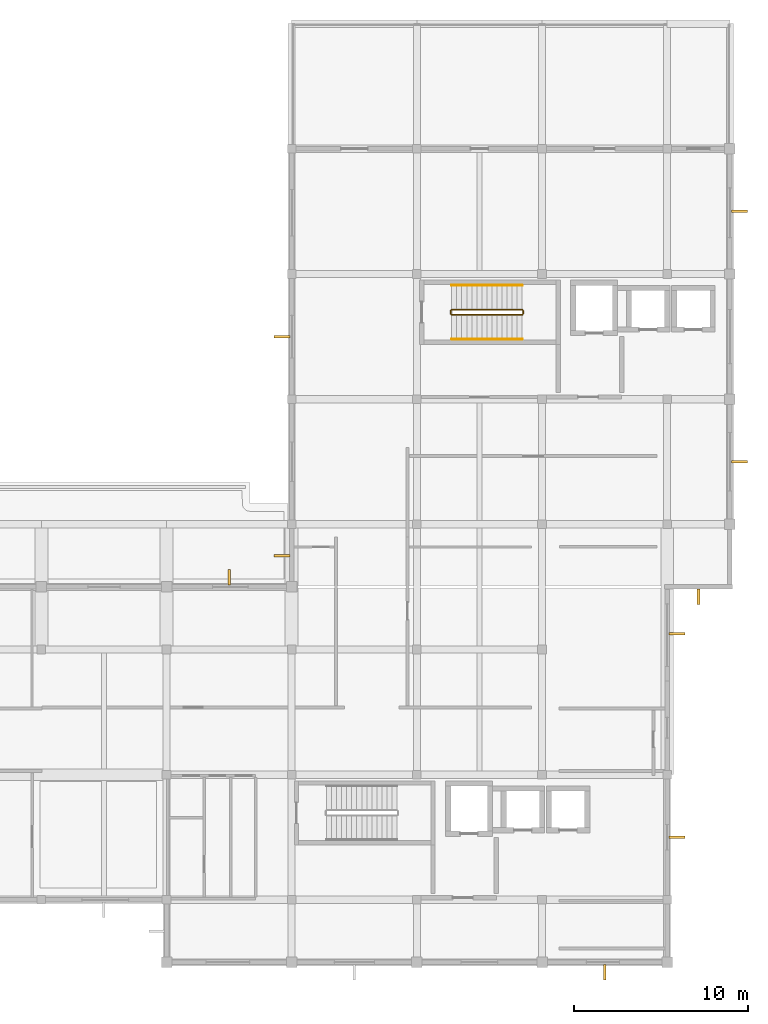
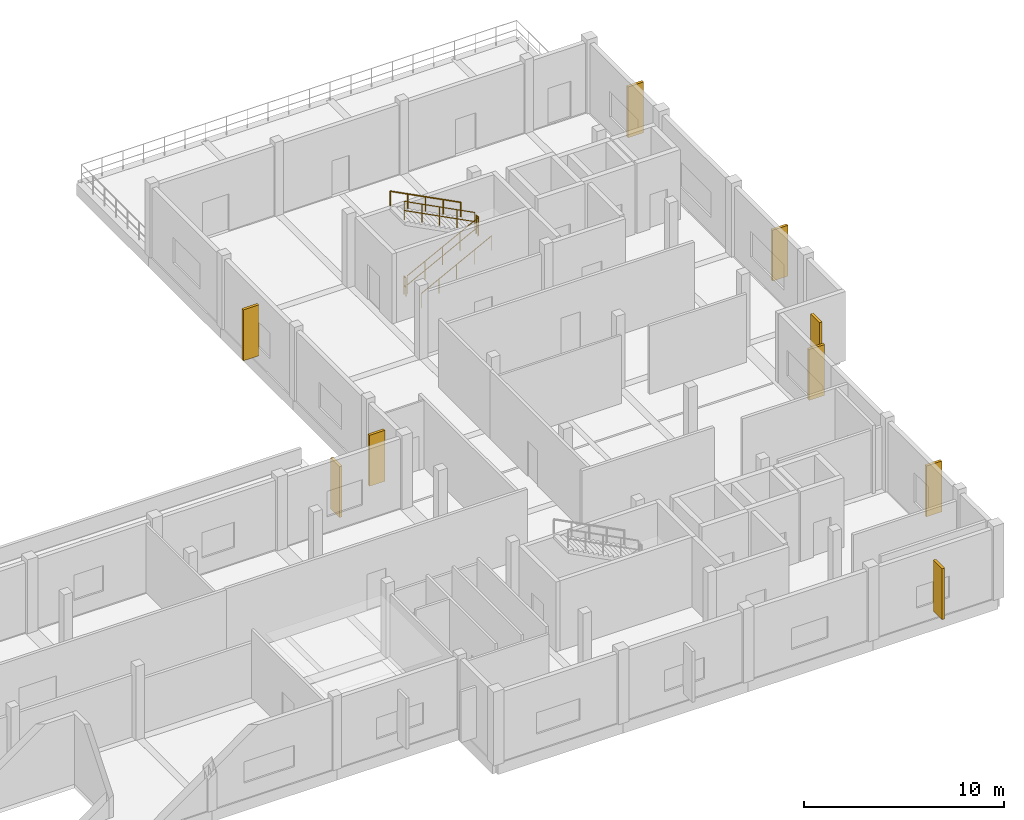
# One storey, part 8 of 9: 9 shading devices, 6 railings.
"""IFC4 building model written with IfcOpenShell, lengths in metres."""

from ifc_helpers import new_model, si_unit, direction, frame, origin, origin_2d, place, context, subcontext, project, spatial, rectangle, circle, extrude, material, type_object, element, save


model = new_model("IFC4")

# Units and contexts
model_context = context("Model", 3, precision=1e-05, world=origin(), true_north=direction((0.0, 1.0)))
body_context = subcontext(model_context, "Body", "Model", "MODEL_VIEW")
ifc_project = project(units=[si_unit("LENGTHUNIT", "METRE"), si_unit("AREAUNIT", "SQUARE_METRE"), si_unit("VOLUMEUNIT", "CUBIC_METRE"), si_unit("PLANEANGLEUNIT", "RADIAN"), si_unit("MASSUNIT", "GRAM", prefix="KILO")], contexts=[model_context])

# Site, building, storey
site_placement = place(None, origin())
site = spatial("IfcSite", under=ifc_project, at=site_placement, CompositionType="ELEMENT")
building_placement = place(site_placement, origin())
building = spatial("IfcBuilding", under=site, at=building_placement, Name="Seraya Terrace Polytechnic", CompositionType="ELEMENT")
storey_placement = place(building_placement, frame((0.0, 0.0, 32.39990234375)))
storey = spatial("IfcBuildingStorey", under=building, at=storey_placement, Name="L07", CompositionType="ELEMENT", Elevation=32.39990234375)

# Shading devices
ifc_material_1 = material(Name="Precast concrete C40/50", Category="concrete")
shading_device_type = type_object("IfcShadingDeviceType", Name="BS-F1", PredefinedType="JALOUSIE", material=ifc_material_1)
for number, where, z_axis, x_axis, name in (
    (1, (97.199951171875, 3.0400390625, 0.449951171875), (0.0, 0.0, 1.0), (0.0, -1.0, 0.0), "Precast concrete brise-soleil fin L07"),
    (2, (75.60009765625, 25.760009765625, 0.449951171875), (0.0, 0.0, 1.0), (0.0, 1.0, 0.0), "Precast concrete brise-soleil fin L07"),
    (3, (78.639892578125, 27.0, 0.449951171875), (0.0, 0.0, 1.0), (-1.0, 0.0, 0.0), "Precast concrete brise-soleil fin L07"),
    (4, (78.639892578125, 39.60009765625, 0.449951171875), (0.0, 0.0, 1.0), (-1.0, 0.0, 0.0), "Precast concrete brise-soleil fin L07"),
    (5, (104.9599609375, 46.800048828125, 0.449951171875), (0.0, 0.0, 1.0), (1.0, 0.0, 0.0), "Precast concrete brise-soleil fin L07"),
    (6, (104.9599609375, 32.39990234375, 0.449951171875), (0.0, 0.0, 1.0), (1.0, 0.0, 0.0), "Precast concrete brise-soleil fin L07"),
    (7, (102.60009765625, 24.639892578125, 0.449951171875), (0.0, 0.0, 1.0), (0.0, -1.0, 0.0), "Precast concrete brise-soleil fin L07"),
    (8, (101.360107421875, 22.5, 0.449951171875), (0.0, 0.0, 1.0), (1.0, 0.0, 0.0), "Precast concrete brise-soleil fin L07"),
    (9, (101.360107421875, 10.800048828125, 0.449951171875), (0.0, 0.0, 1.0), (1.0, 0.0, 0.0), "Precast concrete brise-soleil fin L07"),
):
    element("IfcShadingDevice", number, at=place(storey_placement, frame(where, z_axis=z_axis, x_axis=x_axis)), inside=storey, type_object=shading_device_type, Name=name, PredefinedType="JALOUSIE", context=body_context, shape_type="SweptSolid", body=[
        extrude(rectangle(XDim=0.89990234375, YDim=0.14990234375, at=origin_2d()), origin(), (0.0, 0.0, 1.0), 3.10009765625),
    ])

# Railings
ifc_material_2 = material(Name="Steel S355J2", Category="steel")
railing_type_1 = type_object("IfcRailingType", Name="GR-02", PredefinedType="GUARDRAIL", material=ifc_material_2)
railing_1_placement = place(storey_placement, frame((88.39990234375, 40.85009765625, 0.150146484375)))
element("IfcRailing", 10, at=railing_1_placement, inside=storey, type_object=railing_type_1, Name="L07 ST-02 stair guard 1", PredefinedType="GUARDRAIL", context=body_context, shape_type="SweptSolid", body=[
    extrude(circle(Radius=0.02392578125, at=origin_2d()), frame((0.0, 0.0, 1.10595703125), z_axis=(0.888233425583, 0.0, 0.459392404897), x_axis=(0.0, 1.0, 0.0)), (0.0, 0.0, 1.0), 4.571044921875),
    extrude(circle(Radius=0.02392578125, at=origin_2d()), frame((0.0, 0.0, 0.550048828125), z_axis=(0.888233425583, 0.0, 0.459392404897), x_axis=(0.0, 1.0, 0.0)), (0.0, 0.0, 1.0), 4.571044921875),
    extrude(circle(Radius=0.02099609375, at=origin_2d()), origin(), (0.0, 0.0, 1.0), 1.081787109375),
    extrude(circle(Radius=0.02099609375, at=origin_2d()), frame((1.01513671875, 0.0, 0.52490234375)), (0.0, 0.0, 1.0), 1.081787109375),
    extrude(circle(Radius=0.02099609375, at=origin_2d()), frame((2.030029296875, 0.0, 1.0498046875)), (0.0, 0.0, 1.0), 1.081787109375),
    extrude(circle(Radius=0.02099609375, at=origin_2d()), frame((3.044921875, 0.0, 1.574951171875)), (0.0, 0.0, 1.0), 1.081787109375),
    extrude(circle(Radius=0.02099609375, at=origin_2d()), frame((4.06005859375, 0.0, 2.099853515625)), (0.0, 0.0, 1.0), 1.081787109375),
])
railing_2_placement = place(storey_placement, frame((92.510009765625, 40.89990234375, 2.25)))
element("IfcRailing", 11, at=railing_2_placement, inside=storey, type_object=railing_type_1, Name="L07 ST-02 stair guard 2", PredefinedType="GUARDRAIL", context=body_context, shape_type="SweptSolid", body=[
    extrude(circle(Radius=0.02392578125, at=origin_2d()), frame((0.0, 0.0, 1.10595703125), z_axis=(0.0, 1.0, 0.0), x_axis=(-1.0, 0.0, 0.0)), (0.0, 0.0, 1.0), 0.2001953125),
    extrude(circle(Radius=0.02392578125, at=origin_2d()), frame((0.0, 0.0, 0.550048828125), z_axis=(0.0, 1.0, 0.0), x_axis=(-1.0, 0.0, 0.0)), (0.0, 0.0, 1.0), 0.2001953125),
    extrude(circle(Radius=0.02099609375, at=origin_2d()), origin(), (0.0, 0.0, 1.0), 1.081787109375),
    extrude(circle(Radius=0.02099609375, at=origin_2d()), frame((0.0, 0.2001953125, 0.0)), (0.0, 0.0, 1.0), 1.081787109375),
])
railing_3_placement = place(storey_placement, frame((92.4599609375, 41.14990234375, 2.400146484375)))
element("IfcRailing", 12, at=railing_3_placement, inside=storey, type_object=railing_type_1, Name="L07 ST-02 stair guard 3", PredefinedType="GUARDRAIL", context=body_context, shape_type="SweptSolid", body=[
    extrude(circle(Radius=0.02392578125, at=origin_2d()), frame((0.0, 0.0, 1.10595703125), z_axis=(-0.888233425583, 0.0, 0.459392404897), x_axis=(0.0, -1.0, 0.0)), (0.0, 0.0, 1.0), 4.571044921875),
    extrude(circle(Radius=0.02392578125, at=origin_2d()), frame((0.0, 0.0, 0.550048828125), z_axis=(-0.888233425583, 0.0, 0.459392404897), x_axis=(0.0, -1.0, 0.0)), (0.0, 0.0, 1.0), 4.571044921875),
    extrude(circle(Radius=0.02099609375, at=origin_2d()), origin(), (0.0, 0.0, 1.0), 1.081787109375),
    extrude(circle(Radius=0.02099609375, at=origin_2d()), frame((-1.01513671875, 0.0, 0.52490234375)), (0.0, 0.0, 1.0), 1.081787109375),
    extrude(circle(Radius=0.02099609375, at=origin_2d()), frame((-2.030029296875, 0.0, 1.0498046875)), (0.0, 0.0, 1.0), 1.081787109375),
    extrude(circle(Radius=0.02099609375, at=origin_2d()), frame((-3.044921875, 0.0, 1.574951171875)), (0.0, 0.0, 1.0), 1.081787109375),
    extrude(circle(Radius=0.02099609375, at=origin_2d()), frame((-4.06005859375, 0.0, 2.099853515625)), (0.0, 0.0, 1.0), 1.081787109375),
])
railing_4_placement = place(storey_placement, frame((88.35009765625, 40.89990234375, 0.0)))
element("IfcRailing", 13, at=railing_4_placement, inside=storey, type_object=railing_type_1, Name="L07 ST-02 stair guard 4", PredefinedType="GUARDRAIL", context=body_context, shape_type="SweptSolid", body=[
    extrude(circle(Radius=0.02392578125, at=origin_2d()), frame((0.0, 0.0, 1.10595703125), z_axis=(0.0, 1.0, 0.0), x_axis=(-1.0, 0.0, 0.0)), (0.0, 0.0, 1.0), 0.2001953125),
    extrude(circle(Radius=0.02392578125, at=origin_2d()), frame((0.0, 0.0, 0.550048828125), z_axis=(0.0, 1.0, 0.0), x_axis=(-1.0, 0.0, 0.0)), (0.0, 0.0, 1.0), 0.2001953125),
    extrude(circle(Radius=0.02099609375, at=origin_2d()), origin(), (0.0, 0.0, 1.0), 1.081787109375),
    extrude(circle(Radius=0.02099609375, at=origin_2d()), frame((0.0, 0.2001953125, 0.0)), (0.0, 0.0, 1.0), 1.081787109375),
])
railing_type_2 = type_object("IfcRailingType", Name="HR-01", PredefinedType="HANDRAIL", material=ifc_material_2)
railing_5_placement = place(storey_placement, frame((88.39990234375, 39.449951171875, 0.150146484375)))
element("IfcRailing", 14, at=railing_5_placement, inside=storey, type_object=railing_type_2, Name="L07 ST-02 stair handrail 1", PredefinedType="HANDRAIL", context=body_context, shape_type="SweptSolid", body=[
    extrude(circle(Radius=0.02392578125, at=origin_2d()), frame((0.0, 0.0, 0.8759765625), z_axis=(0.888233425583, 0.0, 0.459392404897), x_axis=(0.0, 1.0, 0.0)), (0.0, 0.0, 1.0), 4.571044921875),
    extrude(circle(Radius=0.02099609375, at=origin_2d()), origin(), (0.0, 0.0, 1.0), 0.851806640625),
    extrude(circle(Radius=0.02099609375, at=origin_2d()), frame((1.01513671875, 0.0, 0.52490234375)), (0.0, 0.0, 1.0), 0.851806640625),
    extrude(circle(Radius=0.02099609375, at=origin_2d()), frame((2.030029296875, 0.0, 1.0498046875)), (0.0, 0.0, 1.0), 0.851806640625),
    extrude(circle(Radius=0.02099609375, at=origin_2d()), frame((3.044921875, 0.0, 1.574951171875)), (0.0, 0.0, 1.0), 0.851806640625),
    extrude(circle(Radius=0.02099609375, at=origin_2d()), frame((4.06005859375, 0.0, 2.099853515625)), (0.0, 0.0, 1.0), 0.851806640625),
])
railing_6_placement = place(storey_placement, frame((92.4599609375, 42.550048828125, 2.400146484375)))
element("IfcRailing", 15, at=railing_6_placement, inside=storey, type_object=railing_type_2, Name="L07 ST-02 stair handrail 2", PredefinedType="HANDRAIL", context=body_context, shape_type="SweptSolid", body=[
    extrude(circle(Radius=0.02392578125, at=origin_2d()), frame((0.0, 0.0, 0.8759765625), z_axis=(-0.888233425583, 0.0, 0.459392404897), x_axis=(0.0, -1.0, 0.0)), (0.0, 0.0, 1.0), 4.571044921875),
    extrude(circle(Radius=0.02099609375, at=origin_2d()), origin(), (0.0, 0.0, 1.0), 0.851806640625),
    extrude(circle(Radius=0.02099609375, at=origin_2d()), frame((-1.01513671875, 0.0, 0.52490234375)), (0.0, 0.0, 1.0), 0.851806640625),
    extrude(circle(Radius=0.02099609375, at=origin_2d()), frame((-2.030029296875, 0.0, 1.0498046875)), (0.0, 0.0, 1.0), 0.851806640625),
    extrude(circle(Radius=0.02099609375, at=origin_2d()), frame((-3.044921875, 0.0, 1.574951171875)), (0.0, 0.0, 1.0), 0.851806640625),
    extrude(circle(Radius=0.02099609375, at=origin_2d()), frame((-4.06005859375, 0.0, 2.099853515625)), (0.0, 0.0, 1.0), 0.851806640625),
])

save(model, "model.ifc")
